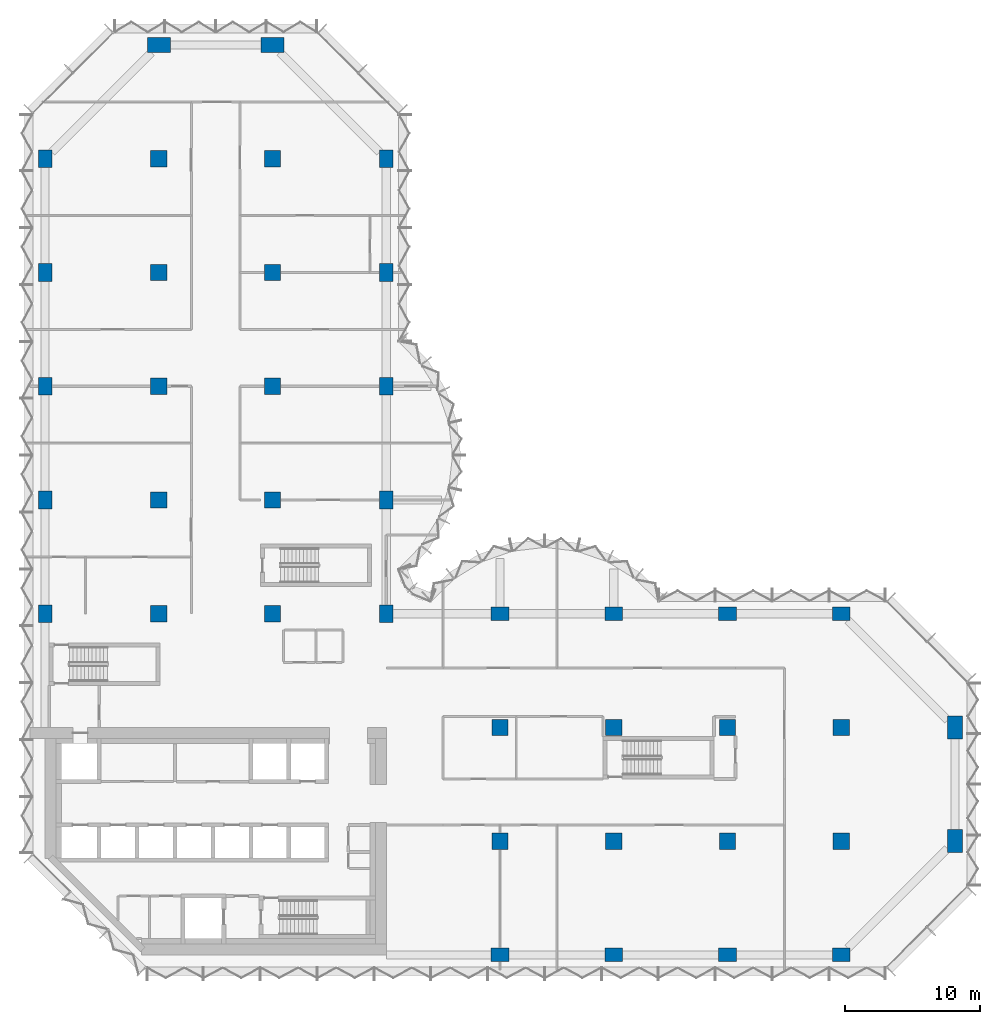
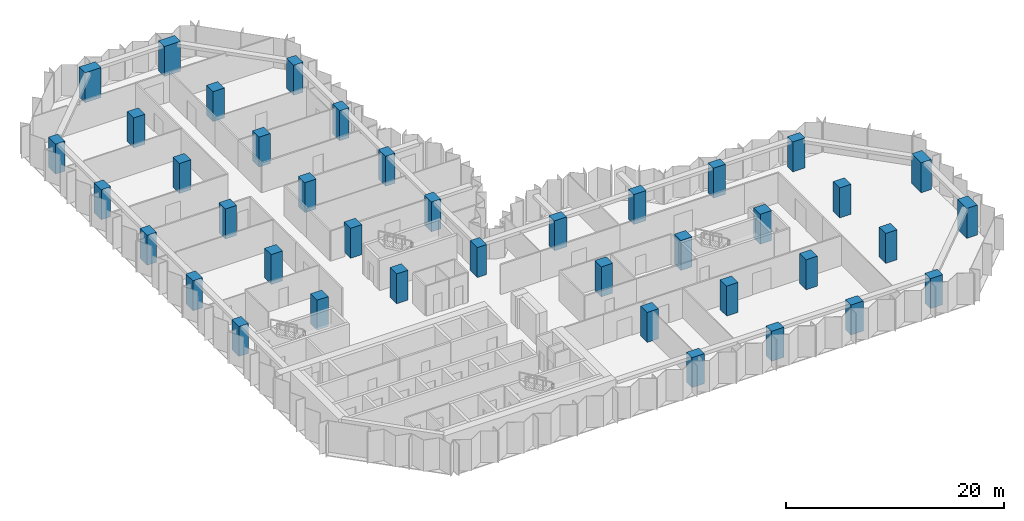
# One storey, part 1 of 13: 40 columns.
"""IFC4 building model written with IfcOpenShell, lengths in metres."""

from ifc_helpers import new_model, si_unit, direction, frame, origin, origin_2d, place, context, subcontext, project, spatial, rectangle, extrude, material, material_profile, profile_set, type_object, element, save


model = new_model("IFC4")

# Units and contexts
model_context = context("Model", 3, precision=1e-05, world=origin(), true_north=direction((0.0, 1.0)))
body_context = subcontext(model_context, "Body", "Model", "MODEL_VIEW")
ifc_project = project(units=[si_unit("LENGTHUNIT", "METRE"), si_unit("AREAUNIT", "SQUARE_METRE"), si_unit("VOLUMEUNIT", "CUBIC_METRE"), si_unit("PLANEANGLEUNIT", "RADIAN"), si_unit("MASSUNIT", "GRAM", prefix="KILO")], contexts=[model_context])

# Site, building, storey
site_placement = place(None, origin())
site = spatial("IfcSite", under=ifc_project, at=site_placement, CompositionType="ELEMENT")
building_placement = place(site_placement, origin())
building = spatial("IfcBuilding", under=site, at=building_placement, Name="Brevane Broadcast Tower", CompositionType="ELEMENT")
storey_placement = place(building_placement, frame((0.0, 0.0, 98.89990234375)))
storey = spatial("IfcBuildingStorey", under=building, at=storey_placement, Name="L23", CompositionType="ELEMENT", Elevation=98.89990234375)

# Columns
ifc_material = material(Name="Concrete C60/75", Category="concrete")
ifc_material_profile_1 = material_profile(ifc_material, rectangle(XDim=1.0, YDim=1.300048828125, at=origin_2d()), Name="RC 1000x1300")
ifc_profile_set_1 = profile_set([ifc_material_profile_1], Name="Concrete C60/75")
column_type_1 = type_object("IfcColumnType", Name="RC COLUMN EDGE 1000x1300 C60/75", PredefinedType="COLUMN", material=ifc_profile_set_1)
for number, where, z_axis, x_axis, name in (
    (1, (0.0, 25.199951171875, 0.0), (0.0, 0.0, 1.0), (1.0, 0.0, 0.0), "CE8 1/D"),
    (2, (0.0, 33.60009765625, 0.0), (0.0, 0.0, 1.0), (1.0, 0.0, 0.0), "CE8 1/E"),
    (3, (0.0, 42.0, 0.0), (0.0, 0.0, 1.0), (1.0, 0.0, 0.0), "CE8 1/F"),
    (4, (0.0, 50.39990234375, 0.0), (0.0, 0.0, 1.0), (1.0, 0.0, 0.0), "CE8 1/G"),
    (5, (0.0, 58.800048828125, 0.0), (0.0, 0.0, 1.0), (1.0, 0.0, 0.0), "CE8 1/H"),
    (6, (25.199951171875, 25.199951171875, 0.0), (0.0, 0.0, 1.0), (1.0, 0.0, 0.0), "CE8 4/D"),
    (7, (25.199951171875, 33.60009765625, 0.0), (0.0, 0.0, 1.0), (1.0, 0.0, 0.0), "CE8 4/E"),
    (8, (25.199951171875, 42.0, 0.0), (0.0, 0.0, 1.0), (1.0, 0.0, 0.0), "CE8 4/F"),
    (9, (25.199951171875, 50.39990234375, 0.0), (0.0, 0.0, 1.0), (1.0, 0.0, 0.0), "CE8 4/G"),
    (10, (25.199951171875, 58.800048828125, 0.0), (0.0, 0.0, 1.0), (1.0, 0.0, 0.0), "CE8 4/H"),
    (11, (33.60009765625, 0.0, 0.0), (0.0, 0.0, 1.0), (0.0, 1.0, 0.0), "CE8 5/A"),
    (12, (33.60009765625, 25.199951171875, 0.0), (0.0, 0.0, 1.0), (0.0, 1.0, 0.0), "CE8 5/D"),
    (13, (42.0, 0.0, 0.0), (0.0, 0.0, 1.0), (0.0, 1.0, 0.0), "CE8 6/A"),
    (14, (42.0, 25.199951171875, 0.0), (0.0, 0.0, 1.0), (0.0, 1.0, 0.0), "CE8 6/D"),
    (15, (50.39990234375, 0.0, 0.0), (0.0, 0.0, 1.0), (0.0, 1.0, 0.0), "CE8 7/A"),
    (16, (50.39990234375, 25.199951171875, 0.0), (0.0, 0.0, 1.0), (0.0, 1.0, 0.0), "CE8 7/D"),
    (17, (58.800048828125, 0.0, 0.0), (0.0, 0.0, 1.0), (0.0, 1.0, 0.0), "CE8 8/A"),
    (18, (58.800048828125, 25.199951171875, 0.0), (0.0, 0.0, 1.0), (0.0, 1.0, 0.0), "CE8 8/D"),
):
    element("IfcColumn", number, at=place(storey_placement, frame(where, z_axis=z_axis, x_axis=x_axis)), inside=storey, type_object=column_type_1, Name=name, PredefinedType="COLUMN", context=body_context, shape_type="SweptSolid", body=[
        extrude(rectangle(XDim=1.0, YDim=1.300048828125, at=origin_2d()), origin(), (0.0, 0.0, 1.0), 3.35009765625),
    ])
ifc_material_profile_2 = material_profile(ifc_material, rectangle(XDim=1.199951171875, YDim=1.199951171875, at=origin_2d()), Name="RC 1200x1200")
ifc_profile_set_2 = profile_set([ifc_material_profile_2], Name="Concrete C60/75")
column_type_2 = type_object("IfcColumnType", Name="RC COLUMN INTERIOR 1200x1200 C60/75", PredefinedType="COLUMN", material=ifc_profile_set_2)
for number, where, z_axis, x_axis, name in (
    (19, (8.39990234375, 25.199951171875, 0.0), (0.0, 0.0, 1.0), (1.0, 0.0, 0.0), "CI9 2/D"),
    (20, (8.39990234375, 33.60009765625, 0.0), (0.0, 0.0, 1.0), (1.0, 0.0, 0.0), "CI9 2/E"),
    (21, (8.39990234375, 42.0, 0.0), (0.0, 0.0, 1.0), (1.0, 0.0, 0.0), "CI9 2/F"),
    (22, (8.39990234375, 50.39990234375, 0.0), (0.0, 0.0, 1.0), (1.0, 0.0, 0.0), "CI9 2/G"),
    (23, (8.39990234375, 58.800048828125, 0.0), (0.0, 0.0, 1.0), (1.0, 0.0, 0.0), "CI9 2/H"),
    (24, (16.800048828125, 25.199951171875, 0.0), (0.0, 0.0, 1.0), (1.0, 0.0, 0.0), "CI9 3/D"),
    (25, (16.800048828125, 33.60009765625, 0.0), (0.0, 0.0, 1.0), (1.0, 0.0, 0.0), "CI9 3/E"),
    (26, (16.800048828125, 42.0, 0.0), (0.0, 0.0, 1.0), (1.0, 0.0, 0.0), "CI9 3/F"),
    (27, (16.800048828125, 50.39990234375, 0.0), (0.0, 0.0, 1.0), (1.0, 0.0, 0.0), "CI9 3/G"),
    (28, (16.800048828125, 58.800048828125, 0.0), (0.0, 0.0, 1.0), (1.0, 0.0, 0.0), "CI9 3/H"),
    (29, (33.60009765625, 8.39990234375, 0.0), (0.0, 0.0, 1.0), (1.0, 0.0, 0.0), "CI9 5/B"),
    (30, (33.60009765625, 16.800048828125, 0.0), (0.0, 0.0, 1.0), (1.0, 0.0, 0.0), "CI9 5/C"),
    (31, (42.0, 8.39990234375, 0.0), (0.0, 0.0, 1.0), (1.0, 0.0, 0.0), "CI9 6/B"),
    (32, (42.0, 16.800048828125, 0.0), (0.0, 0.0, 1.0), (1.0, 0.0, 0.0), "CI9 6/C"),
    (33, (50.39990234375, 8.39990234375, 0.0), (0.0, 0.0, 1.0), (1.0, 0.0, 0.0), "CI9 7/B"),
    (34, (50.39990234375, 16.800048828125, 0.0), (0.0, 0.0, 1.0), (1.0, 0.0, 0.0), "CI9 7/C"),
    (35, (58.800048828125, 8.39990234375, 0.0), (0.0, 0.0, 1.0), (1.0, 0.0, 0.0), "CI9 8/B"),
    (36, (58.800048828125, 16.800048828125, 0.0), (0.0, 0.0, 1.0), (1.0, 0.0, 0.0), "CI9 8/C"),
):
    element("IfcColumn", number, at=place(storey_placement, frame(where, z_axis=z_axis, x_axis=x_axis)), inside=storey, type_object=column_type_2, Name=name, PredefinedType="COLUMN", context=body_context, shape_type="SweptSolid", body=[
        extrude(rectangle(XDim=1.199951171875, YDim=1.199951171875, at=origin_2d()), origin(), (0.0, 0.0, 1.0), 3.35009765625),
    ])
ifc_material_profile_3 = material_profile(ifc_material, rectangle(XDim=1.10009765625, YDim=1.699951171875, at=origin_2d()), Name="RC 1100x1700")
ifc_profile_set_3 = profile_set([ifc_material_profile_3], Name="Concrete C60/75")
column_type_3 = type_object("IfcColumnType", Name="RC COLUMN WING-END 1100x1700 C60/75", PredefinedType="COLUMN", material=ifc_profile_set_3)
for number, where, z_axis, x_axis, name in (
    (37, (8.39990234375, 67.199951171875, 0.0), (0.0, 0.0, 1.0), (0.0, 1.0, 0.0), "CW10 2/I"),
    (38, (16.800048828125, 67.199951171875, 0.0), (0.0, 0.0, 1.0), (0.0, 1.0, 0.0), "CW10 3/I"),
    (39, (67.199951171875, 8.39990234375, 0.0), (0.0, 0.0, 1.0), (1.0, 0.0, 0.0), "CW10 9/B"),
    (40, (67.199951171875, 16.800048828125, 0.0), (0.0, 0.0, 1.0), (1.0, 0.0, 0.0), "CW10 9/C"),
):
    element("IfcColumn", number, at=place(storey_placement, frame(where, z_axis=z_axis, x_axis=x_axis)), inside=storey, type_object=column_type_3, Name=name, PredefinedType="COLUMN", context=body_context, shape_type="SweptSolid", body=[
        extrude(rectangle(XDim=1.10009765625, YDim=1.699951171875, at=origin_2d()), origin(), (0.0, 0.0, 1.0), 3.35009765625),
    ])

save(model, "model.ifc")
